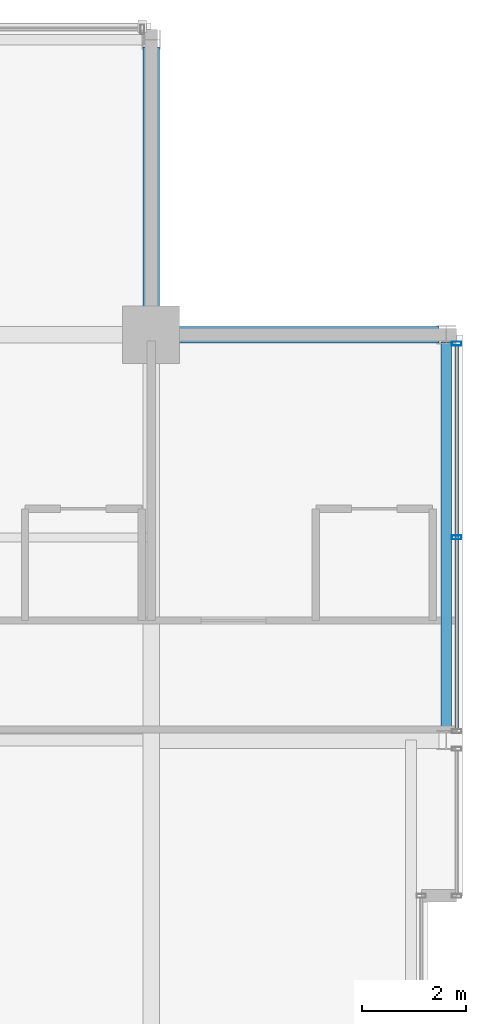
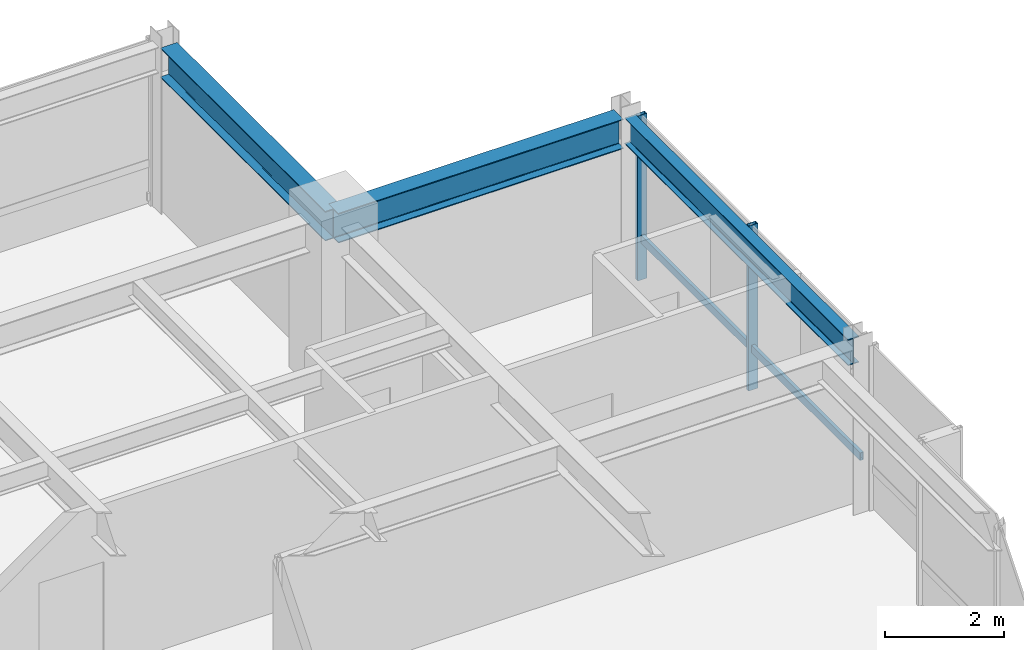
# One storey, part 25 of 33: 3 beams, 3 members, 1 element without a shape of its own.
"""IFC4 building model written with IfcOpenShell, lengths in metres."""

import ifcopenshell
import ifcopenshell.guid

model = None  # the IFC model being written
_history = None  # IfcOwnerHistory: only IFC2X3 demands one
_inside = {}  # id of a spatial element -> (the spatial element, [elements in it])
_under = {}  # id of a project, library or spatial element -> (it, [spatial elements below it])
_declared = {}  # id of a project -> (the project, [libraries it declares])
_typed = {}  # id of a type object -> (the type object, [elements of that type])
_made_of = {}  # id of a material, layer set ... -> (it, [elements and type objects made of it])


def new_model(schema):
    """Start an empty IFC model of exactly this schema.

    Asked for "IFC4X3", IfcOpenShell would pick the latest addendum, in which some entities
    have other attributes; the version numbers below select the first issue.
    IFC2X3 requires an IfcOwnerHistory on every rooted entity: one is made here for all.
    """
    global model, _history
    if schema == "IFC4X3":
        model = ifcopenshell.file(schema_version=(4, 3, 0, 0))
    else:
        model = ifcopenshell.file(schema=schema)
    _inside.clear()
    _under.clear()
    _declared.clear()
    _typed.clear()
    _made_of.clear()
    _history = None
    if model.schema == "IFC2X3":
        org = make("IfcOrganization", Name="unknown")
        user = make(
            "IfcPersonAndOrganization",
            ThePerson=make("IfcPerson", FamilyName="unknown"),
            TheOrganization=org,
        )
        app = make(
            "IfcApplication",
            ApplicationDeveloper=org,
            Version="unknown",
            ApplicationFullName="unknown",
            ApplicationIdentifier="unknown",
        )
        _history = make(
            "IfcOwnerHistory",
            OwningUser=user,
            OwningApplication=app,
            ChangeAction="ADDED",
            CreationDate=0,
        )
    return model


def make(cls, **values):
    """One entity of the class cls with the attributes given. An attribute that is None is left unset."""
    return model.create_entity(
        cls, **{name: value for name, value in values.items() if value is not None}
    )


def rooted(cls, **values):
    """An entity with a GlobalId (a new one), such as an element, a storey or a relation."""
    return make(cls, GlobalId=ifcopenshell.guid.new(), OwnerHistory=_history, **values)


def si_unit(unit_type, name, prefix=None):
    """IfcSIUnit, for example si_unit("LENGTHUNIT", "METRE", prefix="MILLI")."""
    return make("IfcSIUnit", UnitType=unit_type, Prefix=prefix, Name=name)


def assignment(units):
    """IfcUnitAssignment: the units of a project."""
    return None if units is None else make("IfcUnitAssignment", Units=units)


def point(xyz):
    """IfcCartesianPoint."""
    return None if xyz is None else make("IfcCartesianPoint", Coordinates=xyz)


def direction(xyz):
    """IfcDirection."""
    return None if xyz is None else make("IfcDirection", DirectionRatios=xyz)


def frame(location, z_axis=None, x_axis=None):
    """IfcAxis2Placement3D, a coordinate frame: its origin and axes. An axis left out is left unset."""
    return make(
        "IfcAxis2Placement3D",
        Location=point(location),
        Axis=direction(z_axis),
        RefDirection=direction(x_axis),
    )


def frame_2d(location, x_axis=None):
    """IfcAxis2Placement2D, a coordinate frame in the plane: its origin and x axis."""
    return make(
        "IfcAxis2Placement2D", Location=point(location), RefDirection=direction(x_axis)
    )


def origin():
    """The frame at (0, 0, 0) with its axes left unset."""
    return frame((0.0, 0.0, 0.0))


def origin_2d():
    """The frame at (0, 0) in the plane with its x axis left unset."""
    return frame_2d((0.0, 0.0))


def place(relative_to, where):
    """IfcLocalPlacement: puts the frame where relative to a parent placement (None: the world)."""
    return make(
        "IfcLocalPlacement", PlacementRelTo=relative_to, RelativePlacement=where
    )


def context(
    kind, dimensions, precision=None, world=None, true_north=None, identifier=None
):
    """IfcGeometricRepresentationContext, for example the 3D "Model" context."""
    return make(
        "IfcGeometricRepresentationContext",
        ContextIdentifier=identifier,
        ContextType=kind,
        CoordinateSpaceDimension=dimensions,
        Precision=precision,
        WorldCoordinateSystem=world,
        TrueNorth=true_north,
    )


def subcontext(parent, identifier, kind, view, scale=None):
    """IfcGeometricRepresentationSubContext, for example "Body" below "Model"."""
    return make(
        "IfcGeometricRepresentationSubContext",
        ContextIdentifier=identifier,
        ContextType=kind,
        ParentContext=parent,
        TargetScale=scale,
        TargetView=view,
    )


def project(units=None, contexts=None):
    """IfcProject with its units and contexts."""
    return rooted(
        "IfcProject",
        Name="project",
        RepresentationContexts=contexts,
        UnitsInContext=assignment(units),
    )


def spatial(cls, under=None, at=None, **own):
    """A site, building, storey or space (cls), placed at a placement, below another one or the project."""
    s = rooted(cls, ObjectPlacement=at, **own)
    if under is not None:
        _under.setdefault(under.id(), (under, []))[1].append(s)
    return s


def profile(cls, at=None, kind="AREA", **sizes):
    """A parametric profile (cls). Its sizes go by their IFC names, for example OverallWidth=200.0."""
    return make(cls, ProfileType=kind, Position=at, **sizes)


def hollow_rectangle(**sizes):
    """IfcRectangleHollowProfileDef."""
    return profile("IfcRectangleHollowProfileDef", **sizes)


def i_section(**sizes):
    """IfcIShapeProfileDef."""
    return profile("IfcIShapeProfileDef", **sizes)


def extrude(swept, where, along, depth):
    """IfcExtrudedAreaSolid: the profile swept, set in the frame where, extruded along a direction by depth."""
    return make(
        "IfcExtrudedAreaSolid",
        SweptArea=swept,
        Position=where,
        ExtrudedDirection=direction(along),
        Depth=depth,
    )


def shape(context_of_items, identifier, shape_type, items):
    """IfcShapeRepresentation: the items that make up one representation, for example the "Body"."""
    return make(
        "IfcShapeRepresentation",
        ContextOfItems=context_of_items,
        RepresentationIdentifier=identifier,
        RepresentationType=shape_type,
        Items=items,
    )


def material(Name=None, Category=None):
    """IfcMaterial."""
    return make("IfcMaterial", Name=Name, Category=Category)


def layer(
    of_material, thickness, ventilated=None, Name=None, Category=None, Priority=None
):
    """IfcMaterialLayer: one layer of a wall or slab, of a material (None: an air gap)."""
    return make(
        "IfcMaterialLayer",
        Material=of_material,
        LayerThickness=thickness,
        IsVentilated=ventilated,
        Name=Name,
        Category=Category,
        Priority=Priority,
    )


def layer_set(layers, Name=None):
    """IfcMaterialLayerSet."""
    return make("IfcMaterialLayerSet", MaterialLayers=layers, LayerSetName=Name)


def material_profile(
    of_material, cross_section, Name=None, Category=None, Priority=None
):
    """IfcMaterialProfile: a cross section and its material."""
    return make(
        "IfcMaterialProfile",
        Name=Name,
        Material=of_material,
        Profile=cross_section,
        Priority=Priority,
        Category=Category,
    )


def profile_set(profiles, Name=None, composite=None):
    """IfcMaterialProfileSet."""
    return make(
        "IfcMaterialProfileSet",
        Name=Name,
        MaterialProfiles=profiles,
        CompositeProfile=composite,
    )


def made_of(thing, what):
    """Note that an element or type object is made of a material, layer set ...; save() writes the relation."""
    if what is not None:
        _made_of.setdefault(what.id(), (what, []))[1].append(thing)
    return thing


def type_object(cls, material=None, **own):
    """A type object (cls), such as IfcWallType, which elements share."""
    return made_of(rooted(cls, **own), material)


def element(
    cls,
    number,
    at=None,
    inside=None,
    cuts=None,
    type_object=None,
    material=None,
    context=None,
    identifier="Body",
    shape_type=None,
    held_by="IfcProductDefinitionShape",
    body=None,
    shapes=None,
    **own,
):
    """One element of the class cls, such as IfcWall. Its Tag is "e" and its number.

    at: its placement. inside: the storey or other place that contains it. cuts: it is an
    opening in that element (IfcRelVoidsElement). A single representation is given by context,
    identifier, shape_type and body (its items); several are given by shapes. held_by: the class
    of the entity that holds the representations. save() writes the other relations.
    """
    e = rooted(cls, Tag="e%d" % number, ObjectPlacement=at, **own)
    if body is not None:
        shapes = [shape(context, identifier, shape_type, body)]
    if shapes is not None:
        e.Representation = make(held_by, Representations=shapes)
    if inside is not None:
        _inside.setdefault(inside.id(), (inside, []))[1].append(e)
    if cuts is not None:
        rooted(
            "IfcRelVoidsElement", RelatingBuildingElement=cuts, RelatedOpeningElement=e
        )
    if type_object is not None:
        _typed.setdefault(type_object.id(), (type_object, []))[1].append(e)
    return made_of(e, material)


def aggregate(whole, parts):
    """IfcRelAggregates: a whole, such as a stair, and the parts it consists of."""
    return rooted("IfcRelAggregates", RelatingObject=whole, RelatedObjects=parts)


def save(model, path):
    """Write the relations noted so far, then the file.

    IfcRelAggregates (storeys below a building ...), IfcRelContainedInSpatialStructure (elements
    in a storey), IfcRelDefinesByType, IfcRelAssociatesMaterial and IfcRelDeclares: one each for
    every whole, place, type object, material and project.
    """
    for whole, parts in _under.values():
        aggregate(whole, parts)
    for where, things in _inside.values():
        rooted(
            "IfcRelContainedInSpatialStructure",
            RelatedElements=things,
            RelatingStructure=where,
        )
    for kind, things in _typed.values():
        rooted("IfcRelDefinesByType", RelatedObjects=things, RelatingType=kind)
    for what, things in _made_of.values():
        rooted("IfcRelAssociatesMaterial", RelatedObjects=things, RelatingMaterial=what)
    for by, libraries in _declared.values():
        rooted("IfcRelDeclares", RelatingContext=by, RelatedDefinitions=libraries)
    model.write(path)


model = new_model("IFC4")

# Units and contexts
model_context = context("Model", 3, precision=1e-05, world=origin(), true_north=direction((0.0, 1.0)))
body_context = subcontext(model_context, "Body", "Model", "MODEL_VIEW")
ifc_project = project(units=[si_unit("LENGTHUNIT", "METRE"), si_unit("AREAUNIT", "SQUARE_METRE"), si_unit("VOLUMEUNIT", "CUBIC_METRE"), si_unit("PLANEANGLEUNIT", "RADIAN"), si_unit("MASSUNIT", "GRAM", prefix="KILO")], contexts=[model_context])

# Site, building, storey
site_placement = place(None, origin())
site = spatial("IfcSite", under=ifc_project, at=site_placement, CompositionType="ELEMENT")
building_placement = place(site_placement, origin())
building = spatial("IfcBuilding", under=site, at=building_placement, Name="Drelvath Grand Hotel", CompositionType="ELEMENT")
storey_placement = place(building_placement, frame((0.0, 0.0, 283.25)))
storey = spatial("IfcBuildingStorey", under=building, at=storey_placement, Name="L74", CompositionType="ELEMENT", Elevation=283.25)

# Curtain wall, members
ifc_material_1 = material(Name="Platinum-Mist Anodised Aluminium Frame", Category="aluminium")
ifc_layer = layer(ifc_material_1, 0.199951171875)
ifc_layer_set = layer_set([ifc_layer], Name="Platinum-Mist Anodised Aluminium Frame")
curtain_wall_type = type_object("IfcCurtainWallType", Name="Stick Curtain Wall CW-05 Platinum Mist High-Rise", PredefinedType="NOTDEFINED", material=ifc_layer_set)
curtain_wall_placement = place(storey_placement, origin())
curtain_wall = element("IfcCurtainWall", 1, at=curtain_wall_placement, inside=storey, type_object=curtain_wall_type, Name="L74 CW-05 Curtain Wall CW05-L74-EN2", PredefinedType="NOTDEFINED")
ifc_material_profile_1 = material_profile(ifc_material_1, hollow_rectangle(XDim=0.06494140625, YDim=0.159912109375, WallThickness=0.00390625, at=origin_2d()), Name="HSS160X65X4")
ifc_profile_set_1 = profile_set([ifc_material_profile_1], Name="Platinum-Mist Anodised Aluminium Frame")
member_type_1 = type_object("IfcMemberType", Name="Curtain Wall Horizontal Transom CW-05 HSS160X65X4", PredefinedType="USERDEFINED", material=ifc_profile_set_1)
member_1_placement = place(storey_placement, frame((22.080078125, 42.989990234375, 0.847412109375), z_axis=(0.0, -1.0, 0.0), x_axis=(1.0, 0.0, 0.0)))
member_1 = element("IfcMember", 2, at=member_1_placement, type_object=member_type_1, Name="CW05-L74-EN2 Sill Transom", ObjectType="TRANSOM", PredefinedType="USERDEFINED", context=body_context, shape_type="SweptSolid", body=[
    extrude(hollow_rectangle(XDim=0.06494140625, YDim=0.159912109375, WallThickness=0.00390625, at=origin_2d()), origin(), (0.0, 0.0, 1.0), 7.3798828125),
])
ifc_material_profile_2 = material_profile(ifc_material_1, hollow_rectangle(XDim=0.074951171875, YDim=0.179931640625, WallThickness=0.0048828125, at=origin_2d()), Name="HSS180X75X5")
ifc_profile_set_2 = profile_set([ifc_material_profile_2], Name="Platinum-Mist Anodised Aluminium Frame")
member_type_2 = type_object("IfcMemberType", Name="Curtain Wall Vertical Mullion CW-05 HSS180X75X5", PredefinedType="MULLION", material=ifc_profile_set_2)
member_2_placement = place(storey_placement, frame((22.080078125, 43.030029296875, 0.0), z_axis=(0.0, 0.0, 1.0), x_axis=(0.0, 1.0, 0.0)))
member_2 = element("IfcMember", 3, at=member_2_placement, type_object=member_type_2, Name="CW05-L74-EN2 Mullion 1", PredefinedType="MULLION", context=body_context, shape_type="SweptSolid", body=[
    extrude(hollow_rectangle(XDim=0.074951171875, YDim=0.179931640625, WallThickness=0.0048828125, at=origin_2d()), origin(), (0.0, 0.0, 1.0), 3.389892578125),
])
member_3_placement = place(storey_placement, frame((22.080078125, 39.300048828125, 0.0), z_axis=(0.0, 0.0, 1.0), x_axis=(0.0, 1.0, 0.0)))
member_3 = element("IfcMember", 4, at=member_3_placement, type_object=member_type_2, Name="CW05-L74-EN2 Mullion 2", PredefinedType="MULLION", context=body_context, shape_type="SweptSolid", body=[
    extrude(hollow_rectangle(XDim=0.074951171875, YDim=0.179931640625, WallThickness=0.0048828125, at=origin_2d()), origin(), (0.0, 0.0, 1.0), 3.389892578125),
])
aggregate(curtain_wall, [member_2, member_3, member_1])

# Beams
ifc_material_2 = material(Name="Steel ASTM A992 Gr 50", Category="steel")
ifc_material_profile_3 = material_profile(ifc_material_2, i_section(OverallWidth=0.210205078125, OverallDepth=0.53662109375, WebThickness=0.010986328125, FlangeThickness=0.017333984375, FilletRadius=0.01806640625, at=origin_2d()), Name="W21X68")
ifc_profile_set_3 = profile_set([ifc_material_profile_3], Name="Steel ASTM A992 Gr 50")
beam_type_1 = type_object("IfcBeamType", Name="Perimeter Spandrel Beam W21X68", PredefinedType="SPANDREL", material=ifc_profile_set_3)
beam_placement = place(storey_placement, frame((21.8798828125, 35.5400390625, 3.12158203125), z_axis=(0.0, 1.0, 0.0), x_axis=(-1.0, 0.0, 0.0)))
element("IfcBeam", 5, at=beam_placement, inside=storey, type_object=beam_type_1, Name="L74 Spandrel East N", PredefinedType="SPANDREL", context=body_context, shape_type="SweptSolid", body=[
    extrude(i_section(OverallWidth=0.210205078125, OverallDepth=0.53662109375, WebThickness=0.010986328125, FlangeThickness=0.017333984375, FilletRadius=0.01806640625, at=origin_2d()), origin(), (0.0, 0.0, 1.0), 7.52001953125),
])
ifc_material_profile_4 = material_profile(ifc_material_2, i_section(OverallWidth=0.323974609375, OverallDepth=0.611083984375, WebThickness=0.0126953125, FlangeThickness=0.01904296875, FilletRadius=0.02197265625, at=origin_2d()), Name="W24X104")
ifc_profile_set_4 = profile_set([ifc_material_profile_4], Name="Steel ASTM A992 Gr 50")
beam_type_2 = type_object("IfcBeamType", Name="Primary Floor Girder W24X104", PredefinedType="BEAM", material=ifc_profile_set_4)
for number, where, z_axis, x_axis, name in (
    (6, (16.199951171875, 43.199951171875, 3.08447265625), (1.0, 0.0, 0.0), (0.0, 1.0, 0.0), "L74 East Grid Girder G"),
    (7, (16.199951171875, 43.199951171875, 3.08447265625), (0.0, 1.0, 0.0), (-1.0, 0.0, 0.0), "L74 North Grid Girder 7"),
):
    element("IfcBeam", number, at=place(storey_placement, frame(where, z_axis=z_axis, x_axis=x_axis)), inside=storey, type_object=beam_type_2, Name=name, PredefinedType="BEAM", context=body_context, shape_type="SweptSolid", body=[
        extrude(i_section(OverallWidth=0.323974609375, OverallDepth=0.611083984375, WebThickness=0.0126953125, FlangeThickness=0.01904296875, FilletRadius=0.02197265625, at=origin_2d()), origin(), (0.0, 0.0, 1.0), 5.5400390625),
    ])

save(model, "model.ifc")
